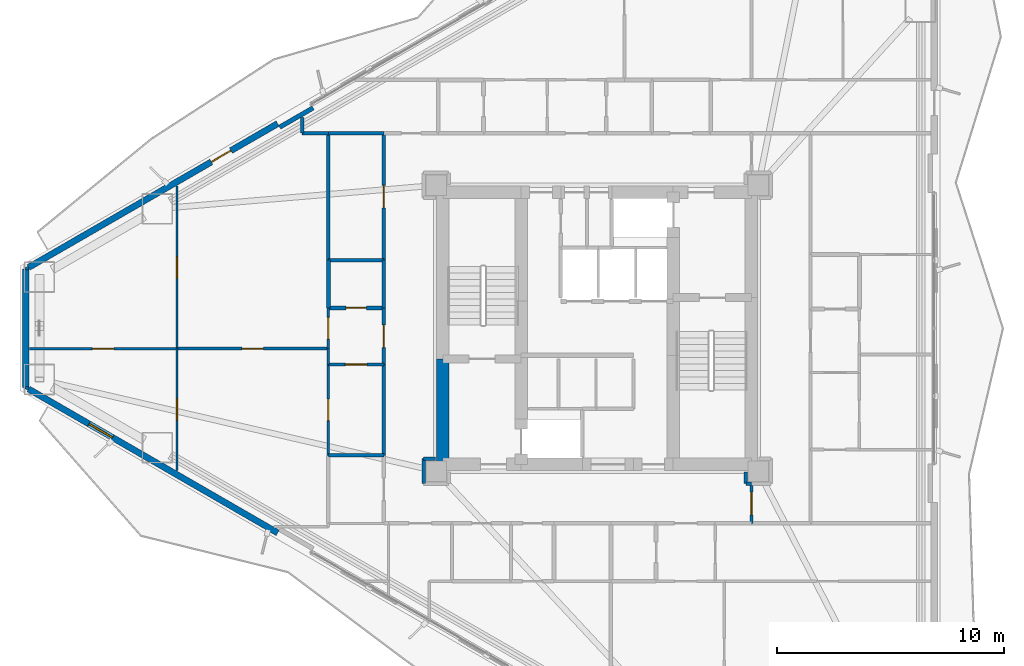
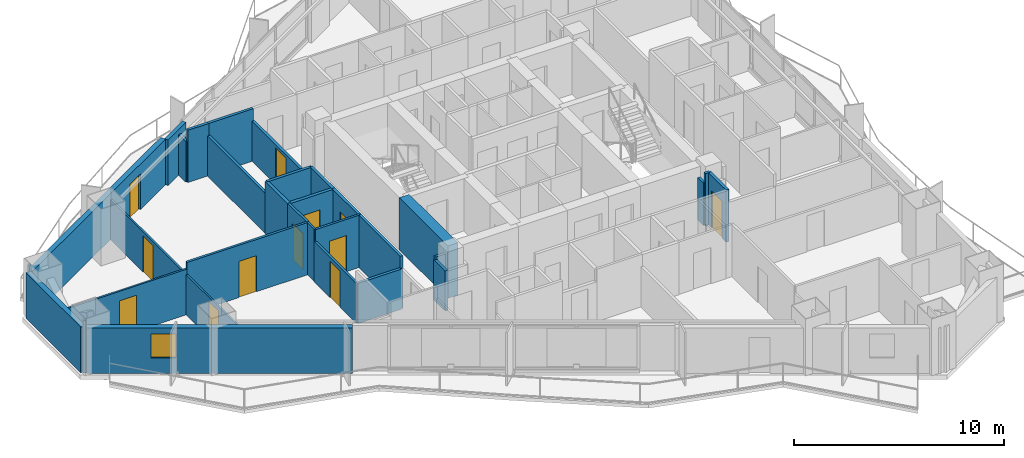
# One storey, part 13 of 19: 32 walls, 12 doors, 1 window, 13 openings.
"""IFC4 building model written with IfcOpenShell, lengths in metres."""

from ifc_helpers import new_model, si_unit, direction, frame, frame_2d, origin, place, context, subcontext, project, spatial, rectangle, extrude, material, layer, layer_set, type_object, element, fill, save


model = new_model("IFC4")

# Units and contexts
model_context = context("Model", 3, precision=1e-05, world=origin(), true_north=direction((0.0, 1.0)))
body_context = subcontext(model_context, "Body", "Model", "MODEL_VIEW")
ifc_project = project(units=[si_unit("LENGTHUNIT", "METRE"), si_unit("AREAUNIT", "SQUARE_METRE"), si_unit("VOLUMEUNIT", "CUBIC_METRE"), si_unit("PLANEANGLEUNIT", "RADIAN"), si_unit("MASSUNIT", "GRAM", prefix="KILO")], contexts=[model_context])

# Site, building, storey
site_placement = place(None, origin())
site = spatial("IfcSite", under=ifc_project, at=site_placement, CompositionType="ELEMENT")
building_placement = place(site_placement, origin())
building = spatial("IfcBuilding", under=site, at=building_placement, Name="Mersakhor Tower and Convention Hall", CompositionType="ELEMENT")
storey_placement = place(building_placement, frame((0.0, 0.0, 22.5)))
storey = spatial("IfcBuildingStorey", under=building, at=storey_placement, Name="L05", CompositionType="ELEMENT", Elevation=22.5)

# Wall
ifc_material_1 = material(Name="Precast concrete C45/55", Category="concrete")
ifc_layer_1 = layer(ifc_material_1, 0.27490234375)
ifc_layer_set_1 = layer_set([ifc_layer_1], Name="Precast concrete C45/55")
wall_type_1 = type_object("IfcWallType", Name="WL-EXT-275", PredefinedType="SOLIDWALL", material=ifc_layer_set_1)
wall_1_placement = place(storey_placement, frame((3.81298828125, 24.144287109375, 0.0), z_axis=(0.0, 0.0, 1.0), x_axis=(0.0, 1.0, 0.0)))
element("IfcWall", 1, at=wall_1_placement, inside=storey, type_object=wall_type_1, Name="L05 Chamfer Braced Spandrel Wall C3", PredefinedType="SOLIDWALL", context=body_context, shape_type="SweptSolid", body=[
    extrude(rectangle(XDim=5.21142578125, YDim=0.27490234375, at=frame_2d((2.605712890625, 0.0))), origin(), (0.0, 0.0, 1.0), 2.659912109375),
])

# Wall, opening, door
wall_2_placement = place(storey_placement, frame((3.943115234375, 29.4306640625, 0.0), z_axis=(0.0, 0.0, 1.0), x_axis=(0.866027105532, 0.499997052475, 0.0)))
wall_2 = element("IfcWall", 2, at=wall_2_placement, inside=storey, type_object=wall_type_1, Name="L05 Exterior Facade Wall F1-B1", PredefinedType="SOLIDWALL", context=body_context, shape_type="SweptSolid", body=[
    extrude(rectangle(XDim=12.6728515625, YDim=0.27490234375, at=frame_2d((6.33642578125, 0.0))), origin(), (0.0, 0.0, 1.0), 2.659912109375),
])
opening_1_placement = place(wall_2_placement, frame((9.298095703125, 0.0, 0.0)))
opening_1 = element("IfcOpeningElement", 3, at=opening_1_placement, cuts=wall_2, Name="Opening BD-01", PredefinedType="OPENING", context=body_context, shape_type="SweptSolid", body=[
    extrude(rectangle(XDim=1.0, YDim=2.10009765625, at=frame_2d((0.5, 1.050048828125))), frame((0.0, 0.1474609375, 0.0), z_axis=(0.0, -1.0, 0.0), x_axis=(1.0, 0.0, 0.0)), (0.0, 0.0, 1.0), 0.294921875),
])
ifc_material_2 = material(Name="Thermally broken dark aluminium and safety glass", Category="aluminium")
door_type_1 = type_object("IfcDoorType", Name="DR-BAL-100x210", OperationType="NOTDEFINED", PredefinedType="DOOR", material=ifc_material_2)
door_1_placement = place(opening_1_placement, origin())
door_1 = element("IfcDoor", 4, at=door_1_placement, inside=storey, type_object=door_type_1, Name="L05 Balcony Terrace Door F1-B1", OperationType="SINGLE_SWING_LEFT", OverallHeight=2.10009765625, OverallWidth=1.0, PredefinedType="DOOR", context=body_context, shape_type="SweptSolid", body=[
    extrude(rectangle(XDim=1.0, YDim=2.10009765625, at=frame_2d((0.5, 1.050048828125))), frame((0.0, 0.02490234375, 0.0), z_axis=(0.0, -1.0, 0.0), x_axis=(1.0, 0.0, 0.0)), (0.0, 0.0, 1.0), 0.050048828125),
])
fill(opening_1, door_1)

# Wall, opening, window
wall_3_placement = place(storey_placement, frame((14.918212890625, 17.73291015625, 0.0), z_axis=(0.0, 0.0, 1.0), x_axis=(-0.866027105532, 0.499997052475, 0.0)))
wall_3 = element("IfcWall", 5, at=wall_3_placement, inside=storey, type_object=wall_type_1, Name="L05 Exterior Facade Wall F3-B3", PredefinedType="SOLIDWALL", context=body_context, shape_type="SweptSolid", body=[
    extrude(rectangle(XDim=12.6728515625, YDim=0.27490234375, at=frame_2d((6.33642578125, 0.0))), origin(), (0.0, 0.0, 1.0), 2.659912109375),
])
opening_2_placement = place(wall_3_placement, frame((8.402099609375, 0.0, 0.89990234375)))
opening_2 = element("IfcOpeningElement", 6, at=opening_2_placement, cuts=wall_3, Name="Opening W-01", PredefinedType="OPENING", context=body_context, shape_type="SweptSolid", body=[
    extrude(rectangle(XDim=1.199951171875, YDim=1.39990234375, at=frame_2d((0.60009765625, 0.699951171875))), frame((0.0, 0.1474609375, 0.0), z_axis=(0.0, -1.0, 0.0), x_axis=(1.0, 0.0, 0.0)), (0.0, 0.0, 1.0), 0.294921875),
])
ifc_material_3 = material(Name="Dark solar low-E glazed aluminium window", Category="aluminium")
window_type = type_object("IfcWindowType", Name="WN-RES-120x150", PartitioningType="SINGLE_PANEL", PredefinedType="WINDOW", material=ifc_material_3)
window_placement = place(opening_2_placement, origin())
window = element("IfcWindow", 7, at=window_placement, inside=storey, type_object=window_type, Name="L05 Bedroom Facade Window F3-B3-1", OverallHeight=1.39990234375, OverallWidth=1.199951171875, PartitioningType="SINGLE_PANEL", PredefinedType="WINDOW", context=body_context, shape_type="SweptSolid", body=[
    extrude(rectangle(XDim=1.199951171875, YDim=1.39990234375, at=frame_2d((0.60009765625, 0.699951171875))), frame((0.0, 0.030029296875, 0.0), z_axis=(0.0, -1.0, 0.0), x_axis=(1.0, 0.0, 0.0)), (0.0, 0.0, 1.0), 0.06005859375),
])
fill(opening_2, window)

# Wall
ifc_material_4 = material(Name="Precast concrete C40/50", Category="concrete")
ifc_layer_2 = layer(ifc_material_4, 0.199951171875)
ifc_layer_set_2 = layer_set([ifc_layer_2], Name="Precast concrete C40/50")
wall_type_2 = type_object("IfcWallType", Name="WL-PAR-200", PredefinedType="PARAPET", material=ifc_layer_set_2)
wall_4_placement = place(storey_placement, frame((15.00830078125, 35.611328125, 0.0), z_axis=(0.0, 0.0, 1.0), x_axis=(0.86605165483, 0.499954529098, 0.0)))
element("IfcWall", 8, at=wall_4_placement, inside=storey, type_object=wall_type_2, Name="L05 Column Pier Cladding Wall F1-C1", PredefinedType="PARAPET", context=body_context, shape_type="SweptSolid", body=[
    extrude(rectangle(XDim=1.699951171875, YDim=0.199951171875, at=frame_2d((0.85009765625, 0.0))), origin(), (0.0, 0.0, 1.0), 2.659912109375),
])

# Wall, opening, door
ifc_material_5 = material(Name="Moisture-resistant acoustic drywall studwork", Category="other")
ifc_layer_3 = layer(ifc_material_5, 0.175048828125)
ifc_layer_set_3 = layer_set([ifc_layer_3], Name="Moisture-resistant acoustic drywall studwork")
wall_type_3 = type_object("IfcWallType", Name="WL-PLM-175", PredefinedType="PLUMBINGWALL", material=ifc_layer_set_3)
wall_5_placement = place(storey_placement, frame((17.14990234375, 27.64990234375, 0.0), z_axis=(0.0, 0.0, 1.0), x_axis=(1.0, 0.0, 0.0)))
wall_5 = element("IfcWall", 9, at=wall_5_placement, inside=storey, type_object=wall_type_3, Name="L05 Interior Partition Wall P-074", PredefinedType="PLUMBINGWALL", context=body_context, shape_type="SweptSolid", body=[
    extrude(rectangle(XDim=2.4501953125, YDim=0.175048828125, at=frame_2d((1.22509765625, 0.0))), origin(), (0.0, 0.0, 1.0), 3.0400390625),
])
opening_3_placement = place(wall_5_placement, frame((0.77490234375, 0.0, 0.0)))
opening_3 = element("IfcOpeningElement", 10, at=opening_3_placement, cuts=wall_5, Name="Opening WD-01", PredefinedType="OPENING", context=body_context, shape_type="SweptSolid", body=[
    extrude(rectangle(XDim=0.89990234375, YDim=2.10009765625, at=frame_2d((0.449951171875, 1.050048828125))), frame((0.0, 0.097412109375, 0.0), z_axis=(0.0, -1.0, 0.0), x_axis=(1.0, 0.0, 0.0)), (0.0, 0.0, 1.0), 0.195068359375),
])
ifc_material_6 = material(Name="Solid-core hardwood leaf in painted steel frame", Category="steel")
door_type_2 = type_object("IfcDoorType", Name="DR-INT-WET-090x210", OperationType="NOTDEFINED", PredefinedType="DOOR", material=ifc_material_6)
door_2_placement = place(opening_3_placement, origin())
door_2 = element("IfcDoor", 11, at=door_2_placement, inside=storey, type_object=door_type_2, Name="L05 L05 Flat W4 Apartment Hall to L05 Flat W4 Bathroom Door", OperationType="SINGLE_SWING_RIGHT", OverallHeight=2.10009765625, OverallWidth=0.89990234375, PredefinedType="DOOR", context=body_context, shape_type="SweptSolid", body=[
    extrude(rectangle(XDim=0.89990234375, YDim=2.10009765625, at=frame_2d((0.449951171875, 1.050048828125))), frame((0.0, 0.02490234375, 0.0), z_axis=(0.0, -1.0, 0.0), x_axis=(1.0, 0.0, 0.0)), (0.0, 0.0, 1.0), 0.050048828125),
])
fill(opening_3, door_2)

# Walls
wall_6_placement = place(storey_placement, frame((17.14990234375, 27.64990234375, 0.0), z_axis=(0.0, 0.0, 1.0), x_axis=(0.0, 1.0, 0.0)))
element("IfcWall", 12, at=wall_6_placement, inside=storey, type_object=wall_type_3, Name="L05 Interior Partition Wall P-095", PredefinedType="PLUMBINGWALL", context=body_context, shape_type="SweptSolid", body=[
    extrude(rectangle(XDim=2.10009765625, YDim=0.175048828125, at=frame_2d((1.050048828125, 0.0))), origin(), (0.0, 0.0, 1.0), 3.0400390625),
])
ifc_material_7 = material(Name="Lightweight gypsum partition", Category="other")
ifc_layer_4 = layer(ifc_material_7, 0.10009765625)
ifc_layer_set_4 = layer_set([ifc_layer_4], Name="Lightweight gypsum partition")
wall_type_4 = type_object("IfcWallType", Name="WL-PRT-100", PredefinedType="PARTITIONING", material=ifc_layer_set_4)
wall_7_placement = place(storey_placement, frame((17.14990234375, 25.14990234375, 0.0), z_axis=(0.0, 0.0, 1.0), x_axis=(0.0, 1.0, 0.0)))
element("IfcWall", 13, at=wall_7_placement, inside=storey, type_object=wall_type_4, Name="L05 Interior Partition Wall P-072", PredefinedType="PARTITIONING", context=body_context, shape_type="SweptSolid", body=[
    extrude(rectangle(XDim=0.7001953125, YDim=0.10009765625, at=frame_2d((0.35009765625, 0.0))), origin(), (0.0, 0.0, 1.0), 3.0400390625),
])

# Wall, opening, door
wall_8_placement = place(storey_placement, frame((10.47998046875, 25.85009765625, 0.0), z_axis=(0.0, 0.0, 1.0), x_axis=(-1.0, 0.0, 0.0)))
wall_8 = element("IfcWall", 14, at=wall_8_placement, inside=storey, type_object=wall_type_4, Name="L05 Interior Partition Wall P-136", PredefinedType="PARTITIONING", context=body_context, shape_type="SweptSolid", body=[
    extrude(rectangle(XDim=6.50537109375, YDim=0.10009765625, at=frame_2d((3.252685546875, 0.0))), origin(), (0.0, 0.0, 1.0), 2.650390625),
])
opening_4_placement = place(wall_8_placement, frame((2.777587890625, 0.0, 0.0)))
opening_4 = element("IfcOpeningElement", 15, at=opening_4_placement, cuts=wall_8, Name="Opening RD-01", PredefinedType="OPENING", context=body_context, shape_type="SweptSolid", body=[
    extrude(rectangle(XDim=0.949951171875, YDim=2.10009765625, at=frame_2d((0.47509765625, 1.050048828125))), frame((0.0, 0.06005859375, 0.0), z_axis=(0.0, -1.0, 0.0), x_axis=(1.0, 0.0, 0.0)), (0.0, 0.0, 1.0), 0.1201171875),
])
ifc_material_8 = material(Name="Solid-core hardwood leaf in painted steel frame", Category="steel")
door_type_3 = type_object("IfcDoorType", Name="DR-INT-RM-095x210", OperationType="NOTDEFINED", PredefinedType="DOOR", material=ifc_material_8)
door_3_placement = place(opening_4_placement, origin())
door_3 = element("IfcDoor", 16, at=door_3_placement, inside=storey, type_object=door_type_3, Name="L05 L05 Flat W4 Living and Dining Room to L05 Flat W4 Master Bedroom Door", OperationType="SINGLE_SWING_LEFT", OverallHeight=2.10009765625, OverallWidth=0.949951171875, PredefinedType="DOOR", context=body_context, shape_type="SweptSolid", body=[
    extrude(rectangle(XDim=0.949951171875, YDim=2.10009765625, at=frame_2d((0.47509765625, 1.050048828125))), frame((0.0, 0.02490234375, 0.0), z_axis=(0.0, -1.0, 0.0), x_axis=(1.0, 0.0, 0.0)), (0.0, 0.0, 1.0), 0.050048828125),
])
fill(opening_4, door_3)

wall_9_placement = place(storey_placement, frame((10.47998046875, 33.018310546875, 0.0), z_axis=(0.0, 0.0, 1.0), x_axis=(0.0, -1.0, 0.0)))
wall_9 = element("IfcWall", 17, at=wall_9_placement, inside=storey, type_object=wall_type_4, Name="L05 Interior Partition Wall P-138", PredefinedType="PARTITIONING", context=body_context, shape_type="SweptSolid", body=[
    extrude(rectangle(XDim=7.168212890625, YDim=0.10009765625, at=frame_2d((3.583984375, 0.0))), origin(), (0.0, 0.0, 1.0), 2.33740234375),
])
opening_5_placement = place(wall_9_placement, frame((3.109130859375, 0.0, 0.0)))
opening_5 = element("IfcOpeningElement", 18, at=opening_5_placement, cuts=wall_9, Name="Opening RD-01", PredefinedType="OPENING", context=body_context, shape_type="SweptSolid", body=[
    extrude(rectangle(XDim=0.949951171875, YDim=2.10009765625, at=frame_2d((0.47509765625, 1.050048828125))), frame((0.0, 0.06005859375, 0.0), z_axis=(0.0, -1.0, 0.0), x_axis=(1.0, 0.0, 0.0)), (0.0, 0.0, 1.0), 0.1201171875),
])
door_4_placement = place(opening_5_placement, origin())
door_4 = element("IfcDoor", 19, at=door_4_placement, inside=storey, type_object=door_type_3, Name="L05 L05 Flat W4 Living and Dining Room to L05 Flat W4 Dining Room Door", OperationType="SINGLE_SWING_RIGHT", OverallHeight=2.10009765625, OverallWidth=0.949951171875, PredefinedType="DOOR", context=body_context, shape_type="SweptSolid", body=[
    extrude(rectangle(XDim=0.949951171875, YDim=2.10009765625, at=frame_2d((0.47509765625, 1.050048828125))), frame((0.0, 0.02490234375, 0.0), z_axis=(0.0, -1.0, 0.0), x_axis=(1.0, 0.0, 0.0)), (0.0, 0.0, 1.0), 0.050048828125),
])
fill(opening_5, door_4)

wall_10_placement = place(storey_placement, frame((10.47998046875, 25.85009765625, 0.0), z_axis=(0.0, 0.0, 1.0), x_axis=(0.0, -1.0, 0.0)))
wall_10 = element("IfcWall", 20, at=wall_10_placement, inside=storey, type_object=wall_type_4, Name="L05 Interior Partition Wall P-140", PredefinedType="PARTITIONING", context=body_context, shape_type="SweptSolid", body=[
    extrude(rectangle(XDim=5.368408203125, YDim=0.10009765625, at=frame_2d((2.68408203125, 0.0))), origin(), (0.0, 0.0, 1.0), 2.33740234375),
])
opening_6_placement = place(wall_10_placement, frame((2.209228515625, 0.0, 0.0)))
opening_6 = element("IfcOpeningElement", 21, at=opening_6_placement, cuts=wall_10, Name="Opening RD-01", PredefinedType="OPENING", context=body_context, shape_type="SweptSolid", body=[
    extrude(rectangle(XDim=0.949951171875, YDim=2.10009765625, at=frame_2d((0.47509765625, 1.050048828125))), frame((0.0, 0.06005859375, 0.0), z_axis=(0.0, -1.0, 0.0), x_axis=(1.0, 0.0, 0.0)), (0.0, 0.0, 1.0), 0.1201171875),
])
door_5_placement = place(opening_6_placement, origin())
door_5 = element("IfcDoor", 22, at=door_5_placement, inside=storey, type_object=door_type_3, Name="L05 L05 Flat W4 Master Bedroom to L05 Flat W4 Dining Room Door", OperationType="SINGLE_SWING_LEFT", OverallHeight=2.10009765625, OverallWidth=0.949951171875, PredefinedType="DOOR", context=body_context, shape_type="SweptSolid", body=[
    extrude(rectangle(XDim=0.949951171875, YDim=2.10009765625, at=frame_2d((0.47509765625, 1.050048828125))), frame((0.0, 0.02490234375, 0.0), z_axis=(0.0, -1.0, 0.0), x_axis=(1.0, 0.0, 0.0)), (0.0, 0.0, 1.0), 0.050048828125),
])
fill(opening_6, door_5)

ifc_material_9 = material(Name="Gypsum board acoustic partition", Category="other")
ifc_layer_5 = layer(ifc_material_9, 0.125)
ifc_layer_set_5 = layer_set([ifc_layer_5], Name="Gypsum board acoustic partition")
wall_type_5 = type_object("IfcWallType", Name="WL-PRT-125", PredefinedType="PARTITIONING", material=ifc_layer_set_5)
wall_11_placement = place(storey_placement, frame((17.14990234375, 25.85009765625, 0.0), z_axis=(0.0, 0.0, 1.0), x_axis=(0.0, 1.0, 0.0)))
wall_11 = element("IfcWall", 23, at=wall_11_placement, inside=storey, type_object=wall_type_5, Name="L05 Interior Partition Wall P-073", PredefinedType="PARTITIONING", context=body_context, shape_type="SweptSolid", body=[
    extrude(rectangle(XDim=1.7998046875, YDim=0.125, at=frame_2d((0.89990234375, 0.0))), origin(), (0.0, 0.0, 1.0), 3.0400390625),
])
opening_7_placement = place(wall_11_placement, frame((0.425048828125, 0.0, 0.0)))
opening_7 = element("IfcOpeningElement", 24, at=opening_7_placement, cuts=wall_11, Name="Opening RD-01", PredefinedType="OPENING", context=body_context, shape_type="SweptSolid", body=[
    extrude(rectangle(XDim=0.949951171875, YDim=2.10009765625, at=frame_2d((0.47509765625, 1.050048828125))), frame((0.0, 0.072509765625, 0.0), z_axis=(0.0, -1.0, 0.0), x_axis=(1.0, 0.0, 0.0)), (0.0, 0.0, 1.0), 0.14501953125),
])
door_6_placement = place(opening_7_placement, origin())
door_6 = element("IfcDoor", 25, at=door_6_placement, inside=storey, type_object=door_type_3, Name="L05 L05 Flat W4 Apartment Hall to L05 Flat W4 Dining Room Door", OperationType="SINGLE_SWING_RIGHT", OverallHeight=2.10009765625, OverallWidth=0.949951171875, PredefinedType="DOOR", context=body_context, shape_type="SweptSolid", body=[
    extrude(rectangle(XDim=0.949951171875, YDim=2.10009765625, at=frame_2d((0.47509765625, 1.050048828125))), frame((0.0, 0.02490234375, 0.0), z_axis=(0.0, -1.0, 0.0), x_axis=(1.0, 0.0, 0.0)), (0.0, 0.0, 1.0), 0.050048828125),
])
fill(opening_7, door_6)

wall_12_placement = place(storey_placement, frame((19.60009765625, 25.14990234375, 0.0), z_axis=(0.0, 0.0, 1.0), x_axis=(-1.0, 0.0, 0.0)))
wall_12 = element("IfcWall", 26, at=wall_12_placement, inside=storey, type_object=wall_type_5, Name="L05 Interior Partition Wall P-075", PredefinedType="PARTITIONING", context=body_context, shape_type="SweptSolid", body=[
    extrude(rectangle(XDim=2.4501953125, YDim=0.125, at=frame_2d((1.22509765625, 0.0))), origin(), (0.0, 0.0, 1.0), 3.0400390625),
])
opening_8_placement = place(wall_12_placement, frame((0.75, 0.0, 0.0)))
opening_8 = element("IfcOpeningElement", 27, at=opening_8_placement, cuts=wall_12, Name="Opening RD-01", PredefinedType="OPENING", context=body_context, shape_type="SweptSolid", body=[
    extrude(rectangle(XDim=0.949951171875, YDim=2.10009765625, at=frame_2d((0.47509765625, 1.050048828125))), frame((0.0, 0.072509765625, 0.0), z_axis=(0.0, -1.0, 0.0), x_axis=(1.0, 0.0, 0.0)), (0.0, 0.0, 1.0), 0.14501953125),
])
door_7_placement = place(opening_8_placement, origin())
door_7 = element("IfcDoor", 28, at=door_7_placement, inside=storey, type_object=door_type_3, Name="L05 L05 Flat W4 Apartment Hall to L05 Flat W4 Kitchen Door", OperationType="SINGLE_SWING_LEFT", OverallHeight=2.10009765625, OverallWidth=0.949951171875, PredefinedType="DOOR", context=body_context, shape_type="SweptSolid", body=[
    extrude(rectangle(XDim=0.949951171875, YDim=2.10009765625, at=frame_2d((0.47509765625, 1.050048828125))), frame((0.0, 0.02490234375, 0.0), z_axis=(0.0, -1.0, 0.0), x_axis=(1.0, 0.0, 0.0)), (0.0, 0.0, 1.0), 0.050048828125),
])
fill(opening_8, door_7)

wall_13_placement = place(storey_placement, frame((17.14990234375, 21.14990234375, 0.0), z_axis=(0.0, 0.0, 1.0), x_axis=(0.0, 1.0, 0.0)))
wall_13 = element("IfcWall", 29, at=wall_13_placement, inside=storey, type_object=wall_type_5, Name="L05 Interior Partition Wall P-097", PredefinedType="PARTITIONING", context=body_context, shape_type="SweptSolid", body=[
    extrude(rectangle(XDim=4.0, YDim=0.125, at=frame_2d((2.0, 0.0))), origin(), (0.0, 0.0, 1.0), 2.33740234375),
])
opening_9_placement = place(wall_13_placement, frame((1.52490234375, 0.0, 0.0)))
opening_9 = element("IfcOpeningElement", 30, at=opening_9_placement, cuts=wall_13, Name="Opening RD-01", PredefinedType="OPENING", context=body_context, shape_type="SweptSolid", body=[
    extrude(rectangle(XDim=0.949951171875, YDim=2.10009765625, at=frame_2d((0.47509765625, 1.050048828125))), frame((0.0, 0.072509765625, 0.0), z_axis=(0.0, -1.0, 0.0), x_axis=(1.0, 0.0, 0.0)), (0.0, 0.0, 1.0), 0.14501953125),
])
door_8_placement = place(opening_9_placement, origin())
door_8 = element("IfcDoor", 31, at=door_8_placement, inside=storey, type_object=door_type_3, Name="L05 L05 Flat W4 Kitchen to L05 Flat W4 Dining Room Door", OperationType="SINGLE_SWING_RIGHT", OverallHeight=2.10009765625, OverallWidth=0.949951171875, PredefinedType="DOOR", context=body_context, shape_type="SweptSolid", body=[
    extrude(rectangle(XDim=0.949951171875, YDim=2.10009765625, at=frame_2d((0.47509765625, 1.050048828125))), frame((0.0, 0.02490234375, 0.0), z_axis=(0.0, -1.0, 0.0), x_axis=(1.0, 0.0, 0.0)), (0.0, 0.0, 1.0), 0.050048828125),
])
fill(opening_9, door_8)

# Wall
wall_14_placement = place(storey_placement, frame((3.81298828125, 29.35595703125, 0.0), z_axis=(0.0, 0.0, 1.0), x_axis=(0.866131372301, 0.499816412211, 0.0)))
element("IfcWall", 32, at=wall_14_placement, inside=storey, type_object=wall_type_5, Name="L05 Interior Partition Wall P-137", PredefinedType="PARTITIONING", context=body_context, shape_type="SweptSolid", body=[
    extrude(rectangle(XDim=0.14990234375, YDim=0.125, at=frame_2d((0.074951171875, 0.0))), origin(), (0.0, 0.0, 1.0), 3.0400390625),
])

# Wall, opening, door
wall_15_placement = place(storey_placement, frame((17.14990234375, 25.85009765625, 0.0), z_axis=(0.0, 0.0, 1.0), x_axis=(-1.0, 0.0, 0.0)))
wall_15 = element("IfcWall", 33, at=wall_15_placement, inside=storey, type_object=wall_type_5, Name="L05 Interior Partition Wall P-139", PredefinedType="PARTITIONING", context=body_context, shape_type="SweptSolid", body=[
    extrude(rectangle(XDim=6.669921875, YDim=0.125, at=frame_2d((3.3349609375, 0.0))), origin(), (0.0, 0.0, 1.0), 3.0400390625),
])
opening_10_placement = place(wall_15_placement, frame((2.860107421875, 0.0, 0.0)))
opening_10 = element("IfcOpeningElement", 34, at=opening_10_placement, cuts=wall_15, Name="Opening RD-01", PredefinedType="OPENING", context=body_context, shape_type="SweptSolid", body=[
    extrude(rectangle(XDim=0.949951171875, YDim=2.10009765625, at=frame_2d((0.47509765625, 1.050048828125))), frame((0.0, 0.072509765625, 0.0), z_axis=(0.0, -1.0, 0.0), x_axis=(1.0, 0.0, 0.0)), (0.0, 0.0, 1.0), 0.14501953125),
])
door_9_placement = place(opening_10_placement, origin())
door_9 = element("IfcDoor", 35, at=door_9_placement, inside=storey, type_object=door_type_3, Name="L05 L05 Flat W4 Dining Room to L05 Flat W4 Dining Room Door", OperationType="SINGLE_SWING_RIGHT", OverallHeight=2.10009765625, OverallWidth=0.949951171875, PredefinedType="DOOR", context=body_context, shape_type="SweptSolid", body=[
    extrude(rectangle(XDim=0.949951171875, YDim=2.10009765625, at=frame_2d((0.47509765625, 1.050048828125))), frame((0.0, 0.02490234375, 0.0), z_axis=(0.0, -1.0, 0.0), x_axis=(1.0, 0.0, 0.0)), (0.0, 0.0, 1.0), 0.050048828125),
])
fill(opening_10, door_9)

# Walls
wall_16_placement = place(storey_placement, frame((3.94287109375, 24.069091796875, 0.0), z_axis=(0.0, 0.0, 1.0), x_axis=(-0.866131372301, 0.499816412211, 0.0)))
element("IfcWall", 36, at=wall_16_placement, inside=storey, type_object=wall_type_5, Name="L05 Interior Partition Wall P-141", PredefinedType="PARTITIONING", context=body_context, shape_type="SweptSolid", body=[
    extrude(rectangle(XDim=0.14990234375, YDim=0.125, at=frame_2d((0.074951171875, 0.0))), origin(), (0.0, 0.0, 1.0), 3.0400390625),
])
ifc_material_10 = material(Name="Fire-rated gypsum board stud partition", Category="other")
ifc_layer_6 = layer(ifc_material_10, 0.14990234375)
ifc_layer_set_6 = layer_set([ifc_layer_6], Name="Fire-rated gypsum board stud partition")
wall_type_6 = type_object("IfcWallType", Name="WL-PRT-150", PredefinedType="PARTITIONING", material=ifc_layer_set_6)
wall_17_placement = place(storey_placement, frame((35.550048828125, 20.425048828125, 0.0), z_axis=(0.0, 0.0, 1.0), x_axis=(0.0, -1.0, 0.0)))
element("IfcWall", 37, at=wall_17_placement, inside=storey, type_object=wall_type_6, Name="L05 Interior Partition Wall P-021", PredefinedType="PARTITIONING", context=body_context, shape_type="SweptSolid", body=[
    extrude(rectangle(XDim=0.525146484375, YDim=0.14990234375, at=frame_2d((0.2626953125, 0.0))), origin(), (0.0, 0.0, 1.0), 2.48828125),
])
wall_18_placement = place(storey_placement, frame((35.550048828125, 19.89990234375, 0.0), z_axis=(0.0, 0.0, 1.0), x_axis=(1.0, 0.0, 0.0)))
element("IfcWall", 38, at=wall_18_placement, inside=storey, type_object=wall_type_6, Name="L05 Interior Partition Wall P-022", PredefinedType="PARTITIONING", context=body_context, shape_type="SweptSolid", body=[
    extrude(rectangle(XDim=0.25, YDim=0.14990234375, at=frame_2d((0.125, 0.0))), origin(), (0.0, 0.0, 1.0), 3.0400390625),
])

# Wall, opening, door
wall_19_placement = place(storey_placement, frame((35.800048828125, 19.89990234375, 0.0), z_axis=(0.0, 0.0, 1.0), x_axis=(0.0, -1.0, 0.0)))
wall_19 = element("IfcWall", 39, at=wall_19_placement, inside=storey, type_object=wall_type_6, Name="L05 Interior Partition Wall P-023", PredefinedType="PARTITIONING", context=body_context, shape_type="SweptSolid", body=[
    extrude(rectangle(XDim=1.75, YDim=0.14990234375, at=frame_2d((0.875, 0.0))), origin(), (0.0, 0.0, 1.0), 3.0400390625),
])
opening_11_placement = place(wall_19_placement, frame((0.375, 0.0, 0.0)))
opening_11 = element("IfcOpeningElement", 40, at=opening_11_placement, cuts=wall_19, Name="Opening FD-01", PredefinedType="OPENING", context=body_context, shape_type="SweptSolid", body=[
    extrude(rectangle(XDim=1.0, YDim=2.14990234375, at=frame_2d((0.5, 1.074951171875))), frame((0.0, 0.0849609375, 0.0), z_axis=(0.0, -1.0, 0.0), x_axis=(1.0, 0.0, 0.0)), (0.0, 0.0, 1.0), 0.169921875),
])
ifc_material_11 = material(Name="Fire-rated hardwood leaf and painted steel frame", Category="steel")
door_type_4 = type_object("IfcDoorType", Name="DR-INT-FLT-100x215", OperationType="NOTDEFINED", PredefinedType="DOOR", material=ifc_material_11)
door_10_placement = place(opening_11_placement, origin())
door_10 = element("IfcDoor", 41, at=door_10_placement, inside=storey, type_object=door_type_4, Name="L05 Ring Corridor Fire Door", OperationType="SINGLE_SWING_LEFT", OverallHeight=2.14990234375, OverallWidth=1.0, PredefinedType="DOOR", context=body_context, shape_type="SweptSolid", body=[
    extrude(rectangle(XDim=1.0, YDim=2.14990234375, at=frame_2d((0.5, 1.074951171875))), frame((0.0, 0.02490234375, 0.0), z_axis=(0.0, -1.0, 0.0), x_axis=(1.0, 0.0, 0.0)), (0.0, 0.0, 1.0), 0.050048828125),
])
fill(opening_11, door_10)

# Wall
wall_20_placement = place(storey_placement, frame((19.60009765625, 21.14990234375, 0.0), z_axis=(0.0, 0.0, 1.0), x_axis=(0.0, 1.0, 0.0)))
element("IfcWall", 42, at=wall_20_placement, inside=storey, type_object=wall_type_6, Name="L05 Interior Partition Wall P-033", PredefinedType="PARTITIONING", context=body_context, shape_type="SweptSolid", body=[
    extrude(rectangle(XDim=4.0, YDim=0.14990234375, at=frame_2d((2.0, 0.0))), origin(), (0.0, 0.0, 1.0), 3.0400390625),
])

# Wall, opening, door
wall_21_placement = place(storey_placement, frame((19.60009765625, 25.14990234375, 0.0), z_axis=(0.0, 0.0, 1.0), x_axis=(0.0, 1.0, 0.0)))
wall_21 = element("IfcWall", 43, at=wall_21_placement, inside=storey, type_object=wall_type_6, Name="L05 Interior Partition Wall P-034", PredefinedType="PARTITIONING", context=body_context, shape_type="SweptSolid", body=[
    extrude(rectangle(XDim=2.5, YDim=0.14990234375, at=frame_2d((1.25, 0.0))), origin(), (0.0, 0.0, 1.0), 3.0400390625),
])
opening_12_placement = place(wall_21_placement, frame((0.75, 0.0, 0.0)))
opening_12 = element("IfcOpeningElement", 44, at=opening_12_placement, cuts=wall_21, Name="Opening FD-01", PredefinedType="OPENING", context=body_context, shape_type="SweptSolid", body=[
    extrude(rectangle(XDim=1.0, YDim=2.14990234375, at=frame_2d((0.5, 1.074951171875))), frame((0.0, 0.0849609375, 0.0), z_axis=(0.0, -1.0, 0.0), x_axis=(1.0, 0.0, 0.0)), (0.0, 0.0, 1.0), 0.169921875),
])
door_11_placement = place(opening_12_placement, origin())
door_11 = element("IfcDoor", 45, at=door_11_placement, inside=storey, type_object=door_type_4, Name="L05 Apartment Entrance Door (Residential Ring Corridor to L05 Flat W4 Apartment Hall)", OperationType="SINGLE_SWING_LEFT", OverallHeight=2.14990234375, OverallWidth=1.0, PredefinedType="DOOR", context=body_context, shape_type="SweptSolid", body=[
    extrude(rectangle(XDim=1.0, YDim=2.14990234375, at=frame_2d((0.5, 1.074951171875))), frame((0.0, 0.02490234375, 0.0), z_axis=(0.0, -1.0, 0.0), x_axis=(1.0, 0.0, 0.0)), (0.0, 0.0, 1.0), 0.050048828125),
])
fill(opening_12, door_11)

# Wall
wall_22_placement = place(storey_placement, frame((19.60009765625, 27.64990234375, 0.0), z_axis=(0.0, 0.0, 1.0), x_axis=(0.0, 1.0, 0.0)))
element("IfcWall", 46, at=wall_22_placement, inside=storey, type_object=wall_type_6, Name="L05 Interior Partition Wall P-035", PredefinedType="PARTITIONING", context=body_context, shape_type="SweptSolid", body=[
    extrude(rectangle(XDim=2.10009765625, YDim=0.14990234375, at=frame_2d((1.050048828125, 0.0))), origin(), (0.0, 0.0, 1.0), 3.0400390625),
])

# Wall, opening, door
wall_23_placement = place(storey_placement, frame((19.60009765625, 29.75, 0.0), z_axis=(0.0, 0.0, 1.0), x_axis=(0.0, 1.0, 0.0)))
wall_23 = element("IfcWall", 47, at=wall_23_placement, inside=storey, type_object=wall_type_6, Name="L05 Interior Partition Wall P-036", PredefinedType="PARTITIONING", context=body_context, shape_type="SweptSolid", body=[
    extrude(rectangle(XDim=5.60009765625, YDim=0.14990234375, at=frame_2d((2.800048828125, 0.0))), origin(), (0.0, 0.0, 1.0), 2.33740234375),
])
opening_13_placement = place(wall_23_placement, frame((2.300048828125, 0.0, 0.0)))
opening_13 = element("IfcOpeningElement", 48, at=opening_13_placement, cuts=wall_23, Name="Opening FD-01", PredefinedType="OPENING", context=body_context, shape_type="SweptSolid", body=[
    extrude(rectangle(XDim=1.0, YDim=2.14990234375, at=frame_2d((0.5, 1.074951171875))), frame((0.0, 0.0849609375, 0.0), z_axis=(0.0, -1.0, 0.0), x_axis=(1.0, 0.0, 0.0)), (0.0, 0.0, 1.0), 0.169921875),
])
door_12_placement = place(opening_13_placement, origin())
door_12 = element("IfcDoor", 49, at=door_12_placement, inside=storey, type_object=door_type_4, Name="L05 Residential Ring Corridor to L05 West Wing Shared Study Room Door", OperationType="SINGLE_SWING_LEFT", OverallHeight=2.14990234375, OverallWidth=1.0, PredefinedType="DOOR", context=body_context, shape_type="SweptSolid", body=[
    extrude(rectangle(XDim=1.0, YDim=2.14990234375, at=frame_2d((0.5, 1.074951171875))), frame((0.0, 0.02490234375, 0.0), z_axis=(0.0, -1.0, 0.0), x_axis=(1.0, 0.0, 0.0)), (0.0, 0.0, 1.0), 0.050048828125),
])
fill(opening_13, door_12)

# Walls
wall_24_placement = place(storey_placement, frame((21.875, 21.0, 0.0), z_axis=(0.0, 0.0, 1.0), x_axis=(-1.0, 0.0, 0.0)))
element("IfcWall", 50, at=wall_24_placement, inside=storey, type_object=wall_type_6, Name="L05 Interior Partition Wall P-051", PredefinedType="PARTITIONING", context=body_context, shape_type="SweptSolid", body=[
    extrude(rectangle(XDim=0.52490234375, YDim=0.14990234375, at=frame_2d((0.262451171875, 0.0))), origin(), (0.0, 0.0, 1.0), 2.48828125),
])
wall_25_placement = place(storey_placement, frame((21.35009765625, 21.0, 0.0), z_axis=(0.0, 0.0, 1.0), x_axis=(0.0, -1.0, 0.0)))
element("IfcWall", 51, at=wall_25_placement, inside=storey, type_object=wall_type_6, Name="L05 Interior Partition Wall P-052", PredefinedType="PARTITIONING", context=body_context, shape_type="SweptSolid", body=[
    extrude(rectangle(XDim=1.10009765625, YDim=0.14990234375, at=frame_2d((0.550048828125, 0.0))), origin(), (0.0, 0.0, 1.0), 2.33740234375),
])
wall_26_placement = place(storey_placement, frame((17.14990234375, 29.75, 0.0), z_axis=(0.0, 0.0, 1.0), x_axis=(1.0, 0.0, 0.0)))
element("IfcWall", 52, at=wall_26_placement, inside=storey, type_object=wall_type_6, Name="L05 Interior Partition Wall P-096", PredefinedType="PARTITIONING", context=body_context, shape_type="SweptSolid", body=[
    extrude(rectangle(XDim=2.4501953125, YDim=0.14990234375, at=frame_2d((1.22509765625, 0.0))), origin(), (0.0, 0.0, 1.0), 3.0400390625),
])
wall_27_placement = place(storey_placement, frame((19.60009765625, 21.14990234375, 0.0), z_axis=(0.0, 0.0, 1.0), x_axis=(-1.0, 0.0, 0.0)))
element("IfcWall", 53, at=wall_27_placement, inside=storey, type_object=wall_type_6, Name="L05 Interior Partition Wall P-098", PredefinedType="PARTITIONING", context=body_context, shape_type="SweptSolid", body=[
    extrude(rectangle(XDim=2.4501953125, YDim=0.14990234375, at=frame_2d((1.22509765625, 0.0))), origin(), (0.0, 0.0, 1.0), 2.33740234375),
])
wall_28_placement = place(storey_placement, frame((19.60009765625, 35.35009765625, 0.0), z_axis=(0.0, 0.0, 1.0), x_axis=(-1.0, 0.0, 0.0)))
element("IfcWall", 54, at=wall_28_placement, inside=storey, type_object=wall_type_6, Name="L05 Interior Partition Wall P-106", PredefinedType="PARTITIONING", context=body_context, shape_type="SweptSolid", body=[
    extrude(rectangle(XDim=2.4501953125, YDim=0.14990234375, at=frame_2d((1.22509765625, 0.0))), origin(), (0.0, 0.0, 1.0), 3.0400390625),
])
wall_29_placement = place(storey_placement, frame((17.14990234375, 35.35009765625, 0.0), z_axis=(0.0, 0.0, 1.0), x_axis=(-1.0, 0.0, 0.0)))
element("IfcWall", 55, at=wall_29_placement, inside=storey, type_object=wall_type_6, Name="L05 Interior Partition Wall P-107", PredefinedType="PARTITIONING", context=body_context, shape_type="SweptSolid", body=[
    extrude(rectangle(XDim=1.14990234375, YDim=0.14990234375, at=frame_2d((0.574951171875, 0.0))), origin(), (0.0, 0.0, 1.0), 3.0400390625),
])
wall_30_placement = place(storey_placement, frame((16.0, 35.35009765625, 0.0), z_axis=(0.0, 0.0, 1.0), x_axis=(0.0, 1.0, 0.0)))
element("IfcWall", 56, at=wall_30_placement, inside=storey, type_object=wall_type_6, Name="L05 Interior Partition Wall P-108", PredefinedType="PARTITIONING", context=body_context, shape_type="SweptSolid", body=[
    extrude(rectangle(XDim=0.690673828125, YDim=0.14990234375, at=frame_2d((0.34521484375, 0.0))), origin(), (0.0, 0.0, 1.0), 2.364990234375),
])
wall_31_placement = place(storey_placement, frame((17.14990234375, 29.75, 0.0), z_axis=(0.0, 0.0, 1.0), x_axis=(0.0, 1.0, 0.0)))
element("IfcWall", 57, at=wall_31_placement, inside=storey, type_object=wall_type_6, Name="L05 Interior Partition Wall P-110", PredefinedType="PARTITIONING", context=body_context, shape_type="SweptSolid", body=[
    extrude(rectangle(XDim=5.60009765625, YDim=0.14990234375, at=frame_2d((2.800048828125, 0.0))), origin(), (0.0, 0.0, 1.0), 2.33740234375),
])
ifc_material_12 = material(Name="Concrete C70/85", Category="concrete")
ifc_layer_7 = layer(ifc_material_12, 0.550048828125)
ifc_layer_set_7 = layer_set([ifc_layer_7], Name="Concrete C70/85")
wall_type_7 = type_object("IfcWallType", Name="WL-SHR-550", PredefinedType="SHEAR", material=ifc_layer_set_7)
wall_32_placement = place(storey_placement, frame((22.199951171875, 20.75, 0.0), z_axis=(0.0, 0.0, 1.0), x_axis=(0.0, 1.0, 0.0)))
element("IfcWall", 58, at=wall_32_placement, inside=storey, type_object=wall_type_7, Name="L05 Core Wall CW-W1", PredefinedType="SHEAR", context=body_context, shape_type="SweptSolid", body=[
    extrude(rectangle(XDim=4.64990234375, YDim=0.550048828125, at=frame_2d((2.324951171875, 0.0))), origin(), (0.0, 0.0, 1.0), 3.0400390625),
])

save(model, "model.ifc")
